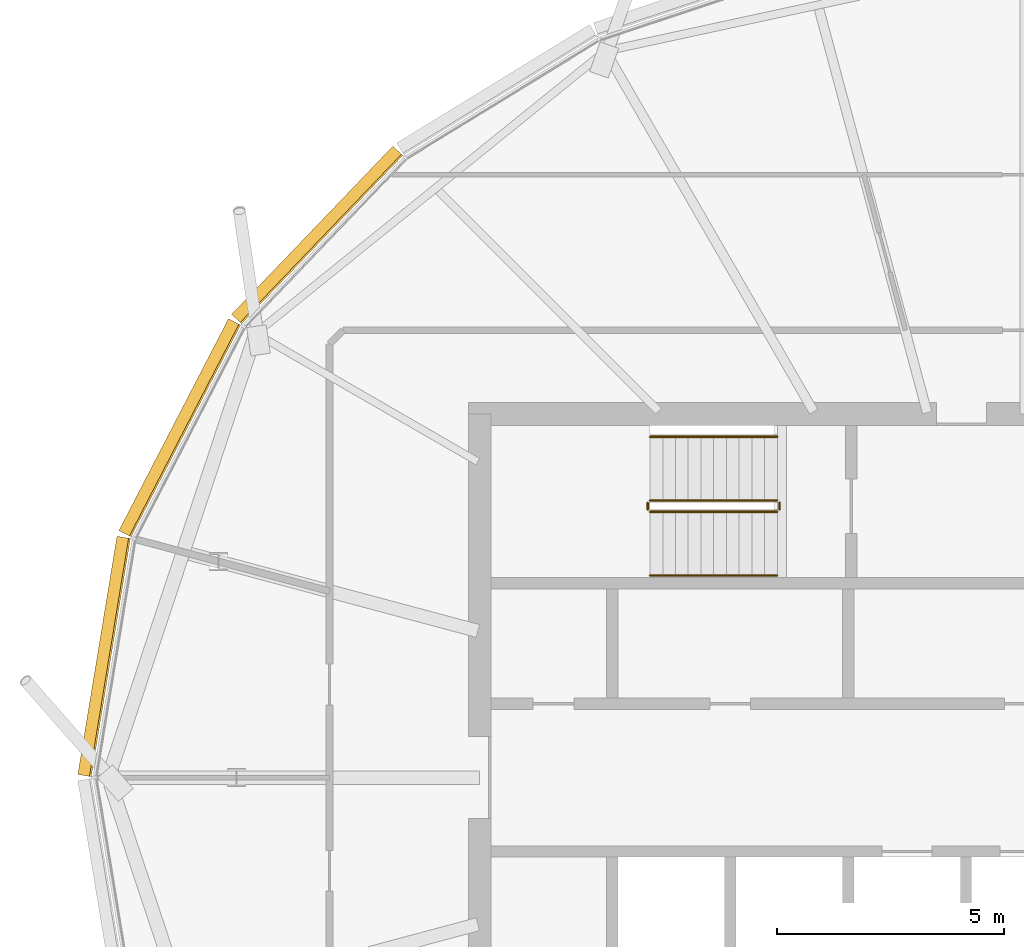
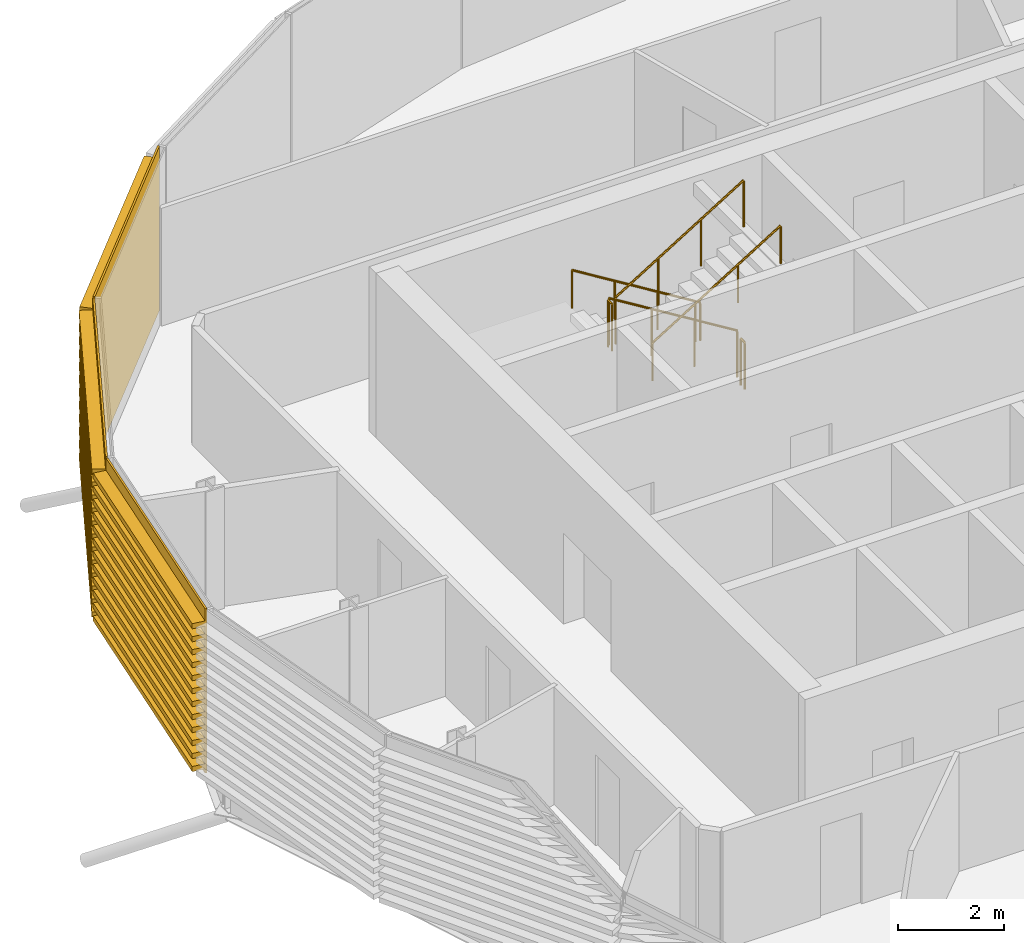
# One storey, part 30 of 33: 6 railings, 3 coverings.
"""IFC4 building model written with IfcOpenShell, lengths in metres."""

from ifc_helpers import new_model, si_unit, direction, frame, origin, origin_2d, place, context, subcontext, project, spatial, polyline, circle, outline, extrude, material, material_profile, profile_set, type_object, element, save


model = new_model("IFC4")

# Units and contexts
model_context = context("Model", 3, precision=1e-05, world=origin(), true_north=direction((0.0, 1.0)))
body_context = subcontext(model_context, "Body", "Model", "MODEL_VIEW")
ifc_project = project(units=[si_unit("LENGTHUNIT", "METRE"), si_unit("AREAUNIT", "SQUARE_METRE"), si_unit("VOLUMEUNIT", "CUBIC_METRE"), si_unit("PLANEANGLEUNIT", "RADIAN"), si_unit("MASSUNIT", "GRAM", prefix="KILO")], contexts=[model_context])

# Site, building, storey
site_placement = place(None, origin())
site = spatial("IfcSite", under=ifc_project, at=site_placement, CompositionType="ELEMENT")
building_placement = place(site_placement, origin())
building = spatial("IfcBuilding", under=site, at=building_placement, Name="Rimbun Link Towers", CompositionType="ELEMENT")
storey_placement = place(building_placement, frame((0.0, 0.0, 240.89990234375)))
storey = spatial("IfcBuildingStorey", under=building, at=storey_placement, Name="L59", CompositionType="ELEMENT", Elevation=240.89990234375)

# Railings
ifc_material_1 = material(Name="Stainless steel grade 316", Category="steel")
railing_type_1 = type_object("IfcRailingType", Name="Stair guard", PredefinedType="GUARDRAIL", material=ifc_material_1)
railing_1_placement = place(storey_placement, frame((-37.199951171875, 6.10009765625, 0.1728515625)))
element("IfcRailing", 1, at=railing_1_placement, inside=storey, type_object=railing_type_1, Name="L59 ST1 stair guard 1", PredefinedType="GUARDRAIL", context=body_context, shape_type="SweptSolid", body=[
    extrude(circle(Radius=0.02392578125, at=origin_2d()), frame((0.0, 0.0, 1.076171875), z_axis=(-0.851089632645, 0.0, 0.525020415988), x_axis=(0.0, -1.0, 0.0)), (0.0, 0.0, 1.0), 3.2900390625),
    extrude(circle(Radius=0.02099609375, at=origin_2d()), origin(), (0.0, 0.0, 1.0), 1.052001953125),
    extrude(circle(Radius=0.02099609375, at=origin_2d()), frame((-0.933349609375, 0.0, 0.57568359375)), (0.0, 0.0, 1.0), 1.052001953125),
    extrude(circle(Radius=0.02099609375, at=origin_2d()), frame((-1.86669921875, 0.0, 1.151611328125)), (0.0, 0.0, 1.0), 1.052001953125),
    extrude(circle(Radius=0.02099609375, at=origin_2d()), frame((-2.800048828125, 0.0, 1.727294921875)), (0.0, 0.0, 1.0), 1.052001953125),
])
railing_2_placement = place(storey_placement, frame((-40.050048828125, 6.050048828125, 1.900146484375)))
element("IfcRailing", 2, at=railing_2_placement, inside=storey, type_object=railing_type_1, Name="L59 ST1 stair guard 2", PredefinedType="GUARDRAIL", context=body_context, shape_type="SweptSolid", body=[
    extrude(circle(Radius=0.02392578125, at=origin_2d()), frame((0.0, 0.0, 1.076171875), z_axis=(0.0, -1.0, 0.0), x_axis=(1.0, 0.0, 0.0)), (0.0, 0.0, 1.0), 0.150146484375),
    extrude(circle(Radius=0.02099609375, at=origin_2d()), origin(), (0.0, 0.0, 1.0), 1.052001953125),
    extrude(circle(Radius=0.02099609375, at=origin_2d()), frame((0.0, -0.150146484375, 0.0)), (0.0, 0.0, 1.0), 1.052001953125),
])
railing_3_placement = place(storey_placement, frame((-40.0, 5.85009765625, 2.07275390625)))
element("IfcRailing", 3, at=railing_3_placement, inside=storey, type_object=railing_type_1, Name="L59 ST1 stair guard 3", PredefinedType="GUARDRAIL", context=body_context, shape_type="SweptSolid", body=[
    extrude(circle(Radius=0.02392578125, at=origin_2d()), frame((0.0, 0.0, 1.076171875), z_axis=(0.851089632645, 0.0, 0.525020415988), x_axis=(0.0, 1.0, 0.0)), (0.0, 0.0, 1.0), 3.2900390625),
    extrude(circle(Radius=0.02099609375, at=origin_2d()), origin(), (0.0, 0.0, 1.0), 1.052001953125),
    extrude(circle(Radius=0.02099609375, at=origin_2d()), frame((0.933349609375, 0.0, 0.57568359375)), (0.0, 0.0, 1.0), 1.052001953125),
    extrude(circle(Radius=0.02099609375, at=origin_2d()), frame((1.86669921875, 0.0, 1.151611328125)), (0.0, 0.0, 1.0), 1.052001953125),
    extrude(circle(Radius=0.02099609375, at=origin_2d()), frame((2.800048828125, 0.0, 1.727294921875)), (0.0, 0.0, 1.0), 1.052001953125),
])
railing_4_placement = place(storey_placement, frame((-37.14990234375, 6.050048828125, 0.0)))
element("IfcRailing", 4, at=railing_4_placement, inside=storey, type_object=railing_type_1, Name="L59 ST1 stair guard 4", PredefinedType="GUARDRAIL", context=body_context, shape_type="SweptSolid", body=[
    extrude(circle(Radius=0.02392578125, at=origin_2d()), frame((0.0, 0.0, 1.076171875), z_axis=(0.0, -1.0, 0.0), x_axis=(1.0, 0.0, 0.0)), (0.0, 0.0, 1.0), 0.150146484375),
    extrude(circle(Radius=0.02099609375, at=origin_2d()), origin(), (0.0, 0.0, 1.0), 1.052001953125),
    extrude(circle(Radius=0.02099609375, at=origin_2d()), frame((0.0, -0.150146484375, 0.0)), (0.0, 0.0, 1.0), 1.052001953125),
])
ifc_material_2 = material(Name="Stainless steel grade 316", Category="steel")
railing_type_2 = type_object("IfcRailingType", Name="Stair handrail", PredefinedType="HANDRAIL", material=ifc_material_2)
railing_5_placement = place(storey_placement, frame((-37.199951171875, 7.5, 0.1728515625)))
element("IfcRailing", 5, at=railing_5_placement, inside=storey, type_object=railing_type_2, Name="L59 ST1 stair handrail 1", PredefinedType="HANDRAIL", context=body_context, shape_type="SweptSolid", body=[
    extrude(circle(Radius=0.02392578125, at=origin_2d()), frame((0.0, 0.0, 0.8759765625), z_axis=(-0.851089632645, 0.0, 0.525020415988), x_axis=(0.0, -1.0, 0.0)), (0.0, 0.0, 1.0), 3.2900390625),
    extrude(circle(Radius=0.02099609375, at=origin_2d()), origin(), (0.0, 0.0, 1.0), 0.851806640625),
    extrude(circle(Radius=0.02099609375, at=origin_2d()), frame((-0.933349609375, 0.0, 0.57568359375)), (0.0, 0.0, 1.0), 0.851806640625),
    extrude(circle(Radius=0.02099609375, at=origin_2d()), frame((-1.86669921875, 0.0, 1.151611328125)), (0.0, 0.0, 1.0), 0.851806640625),
    extrude(circle(Radius=0.02099609375, at=origin_2d()), frame((-2.800048828125, 0.0, 1.727294921875)), (0.0, 0.0, 1.0), 0.851806640625),
])
railing_6_placement = place(storey_placement, frame((-40.0, 4.449951171875, 2.07275390625)))
element("IfcRailing", 6, at=railing_6_placement, inside=storey, type_object=railing_type_2, Name="L59 ST1 stair handrail 2", PredefinedType="HANDRAIL", context=body_context, shape_type="SweptSolid", body=[
    extrude(circle(Radius=0.02392578125, at=origin_2d()), frame((0.0, 0.0, 0.8759765625), z_axis=(0.851089632645, 0.0, 0.525020415988), x_axis=(0.0, 1.0, 0.0)), (0.0, 0.0, 1.0), 3.2900390625),
    extrude(circle(Radius=0.02099609375, at=origin_2d()), origin(), (0.0, 0.0, 1.0), 0.851806640625),
    extrude(circle(Radius=0.02099609375, at=origin_2d()), frame((0.933349609375, 0.0, 0.57568359375)), (0.0, 0.0, 1.0), 0.851806640625),
    extrude(circle(Radius=0.02099609375, at=origin_2d()), frame((1.86669921875, 0.0, 1.151611328125)), (0.0, 0.0, 1.0), 0.851806640625),
    extrude(circle(Radius=0.02099609375, at=origin_2d()), frame((2.800048828125, 0.0, 1.727294921875)), (0.0, 0.0, 1.0), 0.851806640625),
])

# Coverings
ifc_material_3 = material(Name="Terracotta", Category="masonry")
ifc_material_profile = material_profile(ifc_material_3, outline(polyline([(0.123046875, 0.0), (0.1630859375, 0.0), (0.1630859375, 0.10009765625), (0.423095703125, 0.10009765625), (0.423095703125, 0.219970703125), (0.1630859375, 0.219970703125), (0.1630859375, 0.39990234375), (0.423095703125, 0.39990234375), (0.423095703125, 0.52001953125), (0.1630859375, 0.52001953125), (0.1630859375, 0.699951171875), (0.423095703125, 0.699951171875), (0.423095703125, 0.820068359375), (0.1630859375, 0.820068359375), (0.1630859375, 1.0), (0.423095703125, 1.0), (0.423095703125, 1.1201171875), (0.1630859375, 1.1201171875), (0.1630859375, 1.300048828125), (0.423095703125, 1.300048828125), (0.423095703125, 1.419921875), (0.1630859375, 1.419921875), (0.1630859375, 1.60009765625), (0.423095703125, 1.60009765625), (0.423095703125, 1.719970703125), (0.1630859375, 1.719970703125), (0.1630859375, 1.89990234375), (0.423095703125, 1.89990234375), (0.423095703125, 2.02001953125), (0.1630859375, 2.02001953125), (0.1630859375, 2.199951171875), (0.423095703125, 2.199951171875), (0.423095703125, 2.320068359375), (0.1630859375, 2.320068359375), (0.1630859375, 2.5), (0.423095703125, 2.5), (0.423095703125, 2.6201171875), (0.1630859375, 2.6201171875), (0.1630859375, 2.800048828125), (0.423095703125, 2.800048828125), (0.423095703125, 2.919921875), (0.1630859375, 2.919921875), (0.1630859375, 3.10009765625), (0.423095703125, 3.10009765625), (0.423095703125, 3.219970703125), (0.1630859375, 3.219970703125), (0.1630859375, 3.39990234375), (0.423095703125, 3.39990234375), (0.423095703125, 3.52001953125), (0.1630859375, 3.52001953125), (0.1630859375, 3.800048828125), (0.123046875, 3.800048828125), (0.123046875, 0.0)])), Name="BAGUETTE 120X300")
ifc_profile_set = profile_set([ifc_material_profile], Name="Terracotta")
covering_type = type_object("IfcCoveringType", Name="TERRACOTTA BAGUETTE 120X300 H3800", PredefinedType="CLADDING", material=ifc_profile_set)
covering_1_placement = place(storey_placement, frame((-48.901611328125, 9.902587890625, 0.0), z_axis=(0.692044974845, 0.721854384757, 0.0), x_axis=(-0.721854384757, 0.692044974845, 0.0)))
element("IfcCovering", 7, at=covering_1_placement, inside=storey, type_object=covering_type, Name="TERRACOTTA BAGUETTE", PredefinedType="CLADDING", context=body_context, shape_type="SweptSolid", body=[
    extrude(outline(polyline([(0.123046875, 0.0), (0.1630859375, 0.0), (0.1630859375, 0.10009765625), (0.423095703125, 0.10009765625), (0.423095703125, 0.219970703125), (0.1630859375, 0.219970703125), (0.1630859375, 0.39990234375), (0.423095703125, 0.39990234375), (0.423095703125, 0.52001953125), (0.1630859375, 0.52001953125), (0.1630859375, 0.699951171875), (0.423095703125, 0.699951171875), (0.423095703125, 0.820068359375), (0.1630859375, 0.820068359375), (0.1630859375, 1.0), (0.423095703125, 1.0), (0.423095703125, 1.1201171875), (0.1630859375, 1.1201171875), (0.1630859375, 1.300048828125), (0.423095703125, 1.300048828125), (0.423095703125, 1.419921875), (0.1630859375, 1.419921875), (0.1630859375, 1.60009765625), (0.423095703125, 1.60009765625), (0.423095703125, 1.719970703125), (0.1630859375, 1.719970703125), (0.1630859375, 1.89990234375), (0.423095703125, 1.89990234375), (0.423095703125, 2.02001953125), (0.1630859375, 2.02001953125), (0.1630859375, 2.199951171875), (0.423095703125, 2.199951171875), (0.423095703125, 2.320068359375), (0.1630859375, 2.320068359375), (0.1630859375, 2.5), (0.423095703125, 2.5), (0.423095703125, 2.6201171875), (0.1630859375, 2.6201171875), (0.1630859375, 2.800048828125), (0.423095703125, 2.800048828125), (0.423095703125, 2.919921875), (0.1630859375, 2.919921875), (0.1630859375, 3.10009765625), (0.423095703125, 3.10009765625), (0.423095703125, 3.219970703125), (0.1630859375, 3.219970703125), (0.1630859375, 3.39990234375), (0.423095703125, 3.39990234375), (0.423095703125, 3.52001953125), (0.1630859375, 3.52001953125), (0.1630859375, 3.800048828125), (0.123046875, 3.800048828125), (0.123046875, 0.0)])), origin(), (0.0, 0.0, 1.0), 5.126953125),
])
covering_2_placement = place(storey_placement, frame((-51.313232421875, 5.241943359375, 0.0), z_axis=(0.459564667383, 0.888144310624, 0.0), x_axis=(-0.888144310624, 0.459564667383, 0.0)))
element("IfcCovering", 8, at=covering_2_placement, inside=storey, type_object=covering_type, Name="TERRACOTTA BAGUETTE", PredefinedType="CLADDING", context=body_context, shape_type="SweptSolid", body=[
    extrude(outline(polyline([(0.123046875, 0.0), (0.1630859375, 0.0), (0.1630859375, 0.10009765625), (0.423095703125, 0.10009765625), (0.423095703125, 0.219970703125), (0.1630859375, 0.219970703125), (0.1630859375, 0.39990234375), (0.423095703125, 0.39990234375), (0.423095703125, 0.52001953125), (0.1630859375, 0.52001953125), (0.1630859375, 0.699951171875), (0.423095703125, 0.699951171875), (0.423095703125, 0.820068359375), (0.1630859375, 0.820068359375), (0.1630859375, 1.0), (0.423095703125, 1.0), (0.423095703125, 1.1201171875), (0.1630859375, 1.1201171875), (0.1630859375, 1.300048828125), (0.423095703125, 1.300048828125), (0.423095703125, 1.419921875), (0.1630859375, 1.419921875), (0.1630859375, 1.60009765625), (0.423095703125, 1.60009765625), (0.423095703125, 1.719970703125), (0.1630859375, 1.719970703125), (0.1630859375, 1.89990234375), (0.423095703125, 1.89990234375), (0.423095703125, 2.02001953125), (0.1630859375, 2.02001953125), (0.1630859375, 2.199951171875), (0.423095703125, 2.199951171875), (0.423095703125, 2.320068359375), (0.1630859375, 2.320068359375), (0.1630859375, 2.5), (0.423095703125, 2.5), (0.423095703125, 2.6201171875), (0.1630859375, 2.6201171875), (0.1630859375, 2.800048828125), (0.423095703125, 2.800048828125), (0.423095703125, 2.919921875), (0.1630859375, 2.919921875), (0.1630859375, 3.10009765625), (0.423095703125, 3.10009765625), (0.423095703125, 3.219970703125), (0.1630859375, 3.219970703125), (0.1630859375, 3.39990234375), (0.423095703125, 3.39990234375), (0.423095703125, 3.52001953125), (0.1630859375, 3.52001953125), (0.1630859375, 3.800048828125), (0.123046875, 3.800048828125), (0.123046875, 0.0)])), origin(), (0.0, 0.0, 1.0), 5.24755859375),
])
covering_3_placement = place(storey_placement, frame((-52.17529296875, 0.0, 0.0), z_axis=(0.162274641327, 0.986745631246, 0.0), x_axis=(-0.986745631246, 0.162274641327, 0.0)))
element("IfcCovering", 9, at=covering_3_placement, inside=storey, type_object=covering_type, Name="TERRACOTTA BAGUETTE", PredefinedType="CLADDING", context=body_context, shape_type="SweptSolid", body=[
    extrude(outline(polyline([(0.123046875, 0.0), (0.1630859375, 0.0), (0.1630859375, 0.10009765625), (0.423095703125, 0.10009765625), (0.423095703125, 0.219970703125), (0.1630859375, 0.219970703125), (0.1630859375, 0.39990234375), (0.423095703125, 0.39990234375), (0.423095703125, 0.52001953125), (0.1630859375, 0.52001953125), (0.1630859375, 0.699951171875), (0.423095703125, 0.699951171875), (0.423095703125, 0.820068359375), (0.1630859375, 0.820068359375), (0.1630859375, 1.0), (0.423095703125, 1.0), (0.423095703125, 1.1201171875), (0.1630859375, 1.1201171875), (0.1630859375, 1.300048828125), (0.423095703125, 1.300048828125), (0.423095703125, 1.419921875), (0.1630859375, 1.419921875), (0.1630859375, 1.60009765625), (0.423095703125, 1.60009765625), (0.423095703125, 1.719970703125), (0.1630859375, 1.719970703125), (0.1630859375, 1.89990234375), (0.423095703125, 1.89990234375), (0.423095703125, 2.02001953125), (0.1630859375, 2.02001953125), (0.1630859375, 2.199951171875), (0.423095703125, 2.199951171875), (0.423095703125, 2.320068359375), (0.1630859375, 2.320068359375), (0.1630859375, 2.5), (0.423095703125, 2.5), (0.423095703125, 2.6201171875), (0.1630859375, 2.6201171875), (0.1630859375, 2.800048828125), (0.423095703125, 2.800048828125), (0.423095703125, 2.919921875), (0.1630859375, 2.919921875), (0.1630859375, 3.10009765625), (0.423095703125, 3.10009765625), (0.423095703125, 3.219970703125), (0.1630859375, 3.219970703125), (0.1630859375, 3.39990234375), (0.423095703125, 3.39990234375), (0.423095703125, 3.52001953125), (0.1630859375, 3.52001953125), (0.1630859375, 3.800048828125), (0.123046875, 3.800048828125), (0.123046875, 0.0)])), origin(), (0.0, 0.0, 1.0), 5.312255859375),
])

save(model, "model.ifc")
